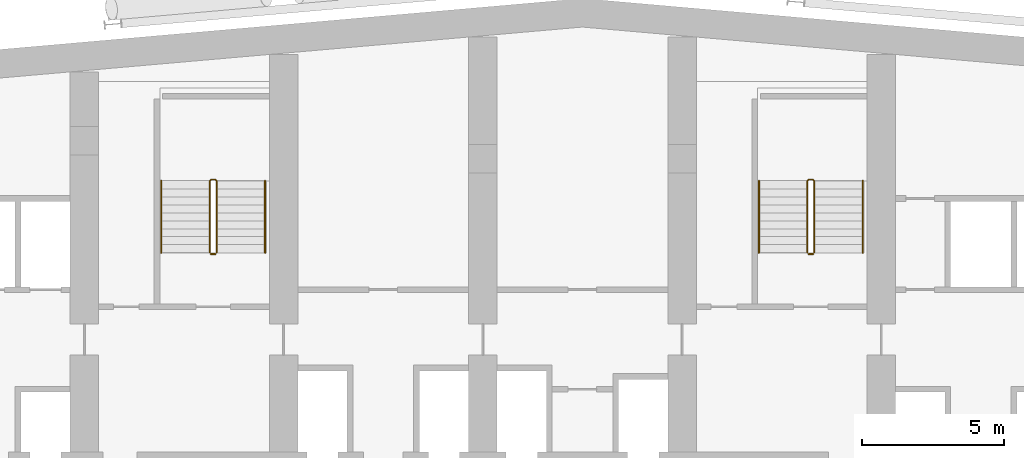
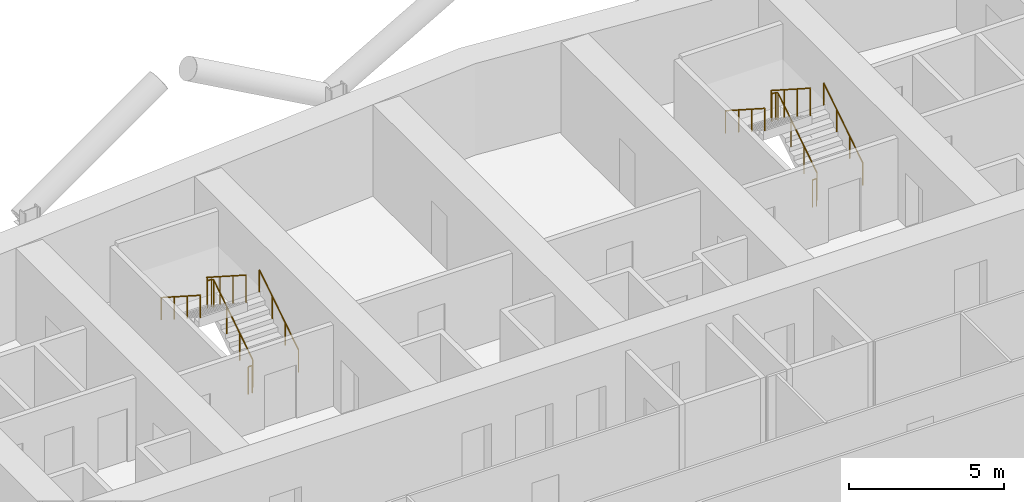
# One storey, part 29 of 30: 8 railings.
"""IFC4 building model written with IfcOpenShell, lengths in metres."""

from ifc_helpers import new_model, si_unit, direction, frame, origin, origin_2d, place, context, subcontext, project, spatial, circle, extrude, material, type_object, element, save


model = new_model("IFC4")

# Units and contexts
model_context = context("Model", 3, precision=1e-05, world=origin(), true_north=direction((0.0, 1.0)))
body_context = subcontext(model_context, "Body", "Model", "MODEL_VIEW")
ifc_project = project(units=[si_unit("LENGTHUNIT", "METRE"), si_unit("AREAUNIT", "SQUARE_METRE"), si_unit("VOLUMEUNIT", "CUBIC_METRE"), si_unit("PLANEANGLEUNIT", "RADIAN"), si_unit("MASSUNIT", "GRAM", prefix="KILO")], contexts=[model_context])

# Site, building, storey
site_placement = place(None, origin())
site = spatial("IfcSite", under=ifc_project, at=site_placement, CompositionType="ELEMENT")
building_placement = place(site_placement, origin())
building = spatial("IfcBuilding", under=site, at=building_placement, Name="Wharfspan Tower", CompositionType="ELEMENT")
storey_placement = place(building_placement, frame((0.0, 0.0, 100.300049)))
storey = spatial("IfcBuildingStorey", under=building, at=storey_placement, Name="L22", CompositionType="ELEMENT", Elevation=100.300049)

# Railings
ifc_material = material(Name="Steel S355J2", Category="steel")
railing_type_1 = type_object("IfcRailingType", Name="Stair guard 1100", PredefinedType="GUARDRAIL", material=ifc_material)
railing_1_placement = place(storey_placement, frame((27.649902, 42.0, 0.179932)))
element("IfcRailing", 1, at=railing_1_placement, inside=storey, type_object=railing_type_1, Name="L22 ST1 stair guard 1", PredefinedType="GUARDRAIL", context=body_context, shape_type="SweptSolid", body=[
    extrude(circle(Radius=0.023926, at=origin_2d()), frame((0.0, 0.0, 1.076172), z_axis=(0.0, 0.841163, 0.540782), x_axis=(-1.0, 0.0, 0.0)), (0.0, 0.0, 1.0), 2.99585),
    extrude(circle(Radius=0.023926, at=origin_2d()), frame((0.0, 2.52002, 2.696289), z_axis=(-0.705376, 0.708834, 0.0), x_axis=(-0.708834, -0.705376, 0.0)), (0.0, 0.0, 1.0), 0.070557),
    extrude(circle(Radius=0.023926, at=origin_2d()), frame((-0.049805, 2.570068, 2.696289), z_axis=(-1.0, 0.0, 0.0), x_axis=(0.0, -1.0, 0.0)), (0.0, 0.0, 1.0), 0.150146),
    extrude(circle(Radius=0.023926, at=origin_2d()), frame((-0.199951, 2.570068, 2.696289), z_axis=(-0.258848, -0.258848, 0.930589), x_axis=(0.707107, -0.707107, 0.0)), (0.0, 0.0, 1.0), 0.193359),
    extrude(circle(Radius=0.023926, at=origin_2d()), frame((-0.25, 2.52002, 2.875977), z_axis=(0.0, -0.8412, 0.540725), x_axis=(1.0, 0.0, 0.0)), (0.0, 0.0, 1.0), 2.99585),
    extrude(circle(Radius=0.020996, at=origin_2d()), origin(), (0.0, 0.0, 1.0), 1.052002),
    extrude(circle(Radius=0.020996, at=origin_2d()), frame((0.0, 0.840088, 0.540039)), (0.0, 0.0, 1.0), 1.052002),
    extrude(circle(Radius=0.020996, at=origin_2d()), frame((0.0, 1.679932, 1.080078)), (0.0, 0.0, 1.0), 1.052002),
    extrude(circle(Radius=0.020996, at=origin_2d()), frame((0.0, 2.52002, 1.620117)), (0.0, 0.0, 1.0), 1.052002),
    extrude(circle(Radius=0.020996, at=origin_2d()), frame((-0.049805, 2.570068, 1.620117)), (0.0, 0.0, 1.0), 1.052002),
    extrude(circle(Radius=0.020996, at=origin_2d()), frame((-0.199951, 2.570068, 1.620117)), (0.0, 0.0, 1.0), 1.052002),
    extrude(circle(Radius=0.020996, at=origin_2d()), frame((-0.25, 2.52002, 1.800049)), (0.0, 0.0, 1.0), 1.052002),
    extrude(circle(Radius=0.020996, at=origin_2d()), frame((-0.25, 1.679932, 2.340088)), (0.0, 0.0, 1.0), 1.052002),
    extrude(circle(Radius=0.020996, at=origin_2d()), frame((-0.25, 0.840088, 2.879883)), (0.0, 0.0, 1.0), 1.052002),
    extrude(circle(Radius=0.020996, at=origin_2d()), frame((-0.25, 0.0, 3.419922)), (0.0, 0.0, 1.0), 1.052002),
])
railing_2_placement = place(storey_placement, frame((27.600098, 41.949951, 0.0)))
element("IfcRailing", 2, at=railing_2_placement, inside=storey, type_object=railing_type_1, Name="L22 ST1 stair guard 2", PredefinedType="GUARDRAIL", context=body_context, shape_type="SweptSolid", body=[
    extrude(circle(Radius=0.023926, at=origin_2d()), frame((0.0, 0.0, 1.076172), z_axis=(-1.0, 0.0, 0.0), x_axis=(0.0, -1.0, 0.0)), (0.0, 0.0, 1.0), 0.150146),
    extrude(circle(Radius=0.020996, at=origin_2d()), origin(), (0.0, 0.0, 1.0), 1.052002),
    extrude(circle(Radius=0.020996, at=origin_2d()), frame((-0.150146, 0.0, 0.0)), (0.0, 0.0, 1.0), 1.052002),
])
railing_3_placement = place(storey_placement, frame((48.649902, 42.0, 0.179932)))
element("IfcRailing", 3, at=railing_3_placement, inside=storey, type_object=railing_type_1, Name="L22 ST2 stair guard 1", PredefinedType="GUARDRAIL", context=body_context, shape_type="SweptSolid", body=[
    extrude(circle(Radius=0.023926, at=origin_2d()), frame((0.0, 0.0, 1.076172), z_axis=(0.0, 0.841163, 0.540782), x_axis=(-1.0, 0.0, 0.0)), (0.0, 0.0, 1.0), 2.99585),
    extrude(circle(Radius=0.023926, at=origin_2d()), frame((0.0, 2.52002, 2.696289), z_axis=(-0.705376, 0.708834, 0.0), x_axis=(-0.708834, -0.705376, 0.0)), (0.0, 0.0, 1.0), 0.070557),
    extrude(circle(Radius=0.023926, at=origin_2d()), frame((-0.049805, 2.570068, 2.696289), z_axis=(-1.0, 0.0, 0.0), x_axis=(0.0, -1.0, 0.0)), (0.0, 0.0, 1.0), 0.150146),
    extrude(circle(Radius=0.023926, at=origin_2d()), frame((-0.199951, 2.570068, 2.696289), z_axis=(-0.258848, -0.258848, 0.930589), x_axis=(0.707107, -0.707107, 0.0)), (0.0, 0.0, 1.0), 0.193359),
    extrude(circle(Radius=0.023926, at=origin_2d()), frame((-0.25, 2.52002, 2.875977), z_axis=(0.0, -0.8412, 0.540725), x_axis=(1.0, 0.0, 0.0)), (0.0, 0.0, 1.0), 2.99585),
    extrude(circle(Radius=0.020996, at=origin_2d()), origin(), (0.0, 0.0, 1.0), 1.052002),
    extrude(circle(Radius=0.020996, at=origin_2d()), frame((0.0, 0.840088, 0.540039)), (0.0, 0.0, 1.0), 1.052002),
    extrude(circle(Radius=0.020996, at=origin_2d()), frame((0.0, 1.679932, 1.080078)), (0.0, 0.0, 1.0), 1.052002),
    extrude(circle(Radius=0.020996, at=origin_2d()), frame((0.0, 2.52002, 1.620117)), (0.0, 0.0, 1.0), 1.052002),
    extrude(circle(Radius=0.020996, at=origin_2d()), frame((-0.049805, 2.570068, 1.620117)), (0.0, 0.0, 1.0), 1.052002),
    extrude(circle(Radius=0.020996, at=origin_2d()), frame((-0.199951, 2.570068, 1.620117)), (0.0, 0.0, 1.0), 1.052002),
    extrude(circle(Radius=0.020996, at=origin_2d()), frame((-0.25, 2.52002, 1.800049)), (0.0, 0.0, 1.0), 1.052002),
    extrude(circle(Radius=0.020996, at=origin_2d()), frame((-0.25, 1.679932, 2.340088)), (0.0, 0.0, 1.0), 1.052002),
    extrude(circle(Radius=0.020996, at=origin_2d()), frame((-0.25, 0.840088, 2.879883)), (0.0, 0.0, 1.0), 1.052002),
    extrude(circle(Radius=0.020996, at=origin_2d()), frame((-0.25, 0.0, 3.419922)), (0.0, 0.0, 1.0), 1.052002),
])
railing_4_placement = place(storey_placement, frame((48.600098, 41.949951, 0.0)))
element("IfcRailing", 4, at=railing_4_placement, inside=storey, type_object=railing_type_1, Name="L22 ST2 stair guard 2", PredefinedType="GUARDRAIL", context=body_context, shape_type="SweptSolid", body=[
    extrude(circle(Radius=0.023926, at=origin_2d()), frame((0.0, 0.0, 1.076172), z_axis=(-1.0, 0.0, 0.0), x_axis=(0.0, -1.0, 0.0)), (0.0, 0.0, 1.0), 0.150146),
    extrude(circle(Radius=0.020996, at=origin_2d()), origin(), (0.0, 0.0, 1.0), 1.052002),
    extrude(circle(Radius=0.020996, at=origin_2d()), frame((-0.150146, 0.0, 0.0)), (0.0, 0.0, 1.0), 1.052002),
])
railing_type_2 = type_object("IfcRailingType", Name="Stair handrail 900", PredefinedType="HANDRAIL", material=ifc_material)
railing_5_placement = place(storey_placement, frame((29.350098, 42.0, 0.179932)))
element("IfcRailing", 5, at=railing_5_placement, inside=storey, type_object=railing_type_2, Name="L22 ST1 stair handrail 1", PredefinedType="HANDRAIL", context=body_context, shape_type="SweptSolid", body=[
    extrude(circle(Radius=0.023926, at=origin_2d()), frame((0.0, 0.0, 0.875977), z_axis=(0.0, 0.841163, 0.540782), x_axis=(-1.0, 0.0, 0.0)), (0.0, 0.0, 1.0), 2.99585),
    extrude(circle(Radius=0.020996, at=origin_2d()), origin(), (0.0, 0.0, 1.0), 0.851807),
    extrude(circle(Radius=0.020996, at=origin_2d()), frame((0.0, 0.840088, 0.540039)), (0.0, 0.0, 1.0), 0.851807),
    extrude(circle(Radius=0.020996, at=origin_2d()), frame((0.0, 1.679932, 1.080078)), (0.0, 0.0, 1.0), 0.851807),
    extrude(circle(Radius=0.020996, at=origin_2d()), frame((0.0, 2.52002, 1.620117)), (0.0, 0.0, 1.0), 0.851807),
])
railing_6_placement = place(storey_placement, frame((25.699951, 44.52002, 1.97998)))
element("IfcRailing", 6, at=railing_6_placement, inside=storey, type_object=railing_type_2, Name="L22 ST1 stair handrail 2", PredefinedType="HANDRAIL", context=body_context, shape_type="SweptSolid", body=[
    extrude(circle(Radius=0.023926, at=origin_2d()), frame((0.0, 0.0, 0.875977), z_axis=(0.0, -0.8412, 0.540725), x_axis=(1.0, 0.0, 0.0)), (0.0, 0.0, 1.0), 2.99585),
    extrude(circle(Radius=0.020996, at=origin_2d()), origin(), (0.0, 0.0, 1.0), 0.851807),
    extrude(circle(Radius=0.020996, at=origin_2d()), frame((0.0, -0.840088, 0.540039)), (0.0, 0.0, 1.0), 0.851807),
    extrude(circle(Radius=0.020996, at=origin_2d()), frame((0.0, -1.679932, 1.079834)), (0.0, 0.0, 1.0), 0.851807),
    extrude(circle(Radius=0.020996, at=origin_2d()), frame((0.0, -2.52002, 1.619873)), (0.0, 0.0, 1.0), 0.851807),
])
railing_7_placement = place(storey_placement, frame((50.350098, 42.0, 0.179932)))
element("IfcRailing", 7, at=railing_7_placement, inside=storey, type_object=railing_type_2, Name="L22 ST2 stair handrail 1", PredefinedType="HANDRAIL", context=body_context, shape_type="SweptSolid", body=[
    extrude(circle(Radius=0.023926, at=origin_2d()), frame((0.0, 0.0, 0.875977), z_axis=(0.0, 0.841163, 0.540782), x_axis=(-1.0, 0.0, 0.0)), (0.0, 0.0, 1.0), 2.99585),
    extrude(circle(Radius=0.020996, at=origin_2d()), origin(), (0.0, 0.0, 1.0), 0.851807),
    extrude(circle(Radius=0.020996, at=origin_2d()), frame((0.0, 0.840088, 0.540039)), (0.0, 0.0, 1.0), 0.851807),
    extrude(circle(Radius=0.020996, at=origin_2d()), frame((0.0, 1.679932, 1.080078)), (0.0, 0.0, 1.0), 0.851807),
    extrude(circle(Radius=0.020996, at=origin_2d()), frame((0.0, 2.52002, 1.620117)), (0.0, 0.0, 1.0), 0.851807),
])
railing_8_placement = place(storey_placement, frame((46.699951, 44.52002, 1.97998)))
element("IfcRailing", 8, at=railing_8_placement, inside=storey, type_object=railing_type_2, Name="L22 ST2 stair handrail 2", PredefinedType="HANDRAIL", context=body_context, shape_type="SweptSolid", body=[
    extrude(circle(Radius=0.023926, at=origin_2d()), frame((0.0, 0.0, 0.875977), z_axis=(0.0, -0.8412, 0.540725), x_axis=(1.0, 0.0, 0.0)), (0.0, 0.0, 1.0), 2.99585),
    extrude(circle(Radius=0.020996, at=origin_2d()), origin(), (0.0, 0.0, 1.0), 0.851807),
    extrude(circle(Radius=0.020996, at=origin_2d()), frame((0.0, -0.840088, 0.540039)), (0.0, 0.0, 1.0), 0.851807),
    extrude(circle(Radius=0.020996, at=origin_2d()), frame((0.0, -1.679932, 1.079834)), (0.0, 0.0, 1.0), 0.851807),
    extrude(circle(Radius=0.020996, at=origin_2d()), frame((0.0, -2.52002, 1.619873)), (0.0, 0.0, 1.0), 0.851807),
])

save(model, "model.ifc")
